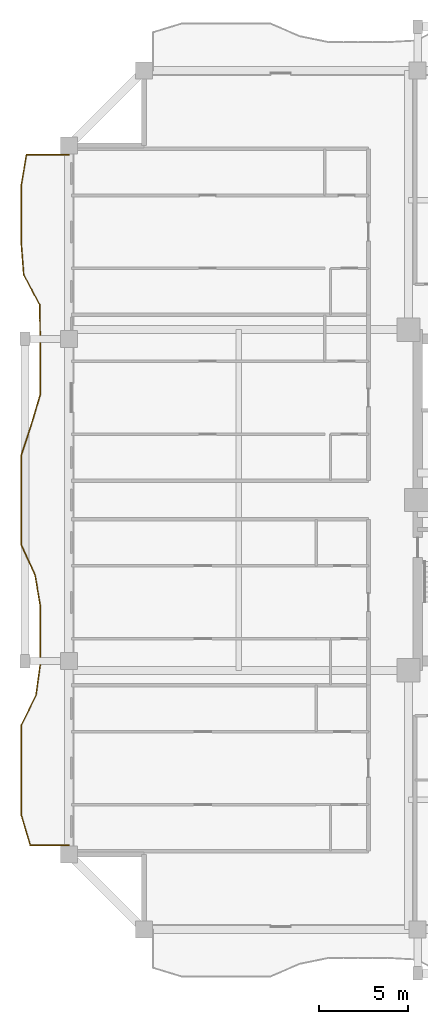
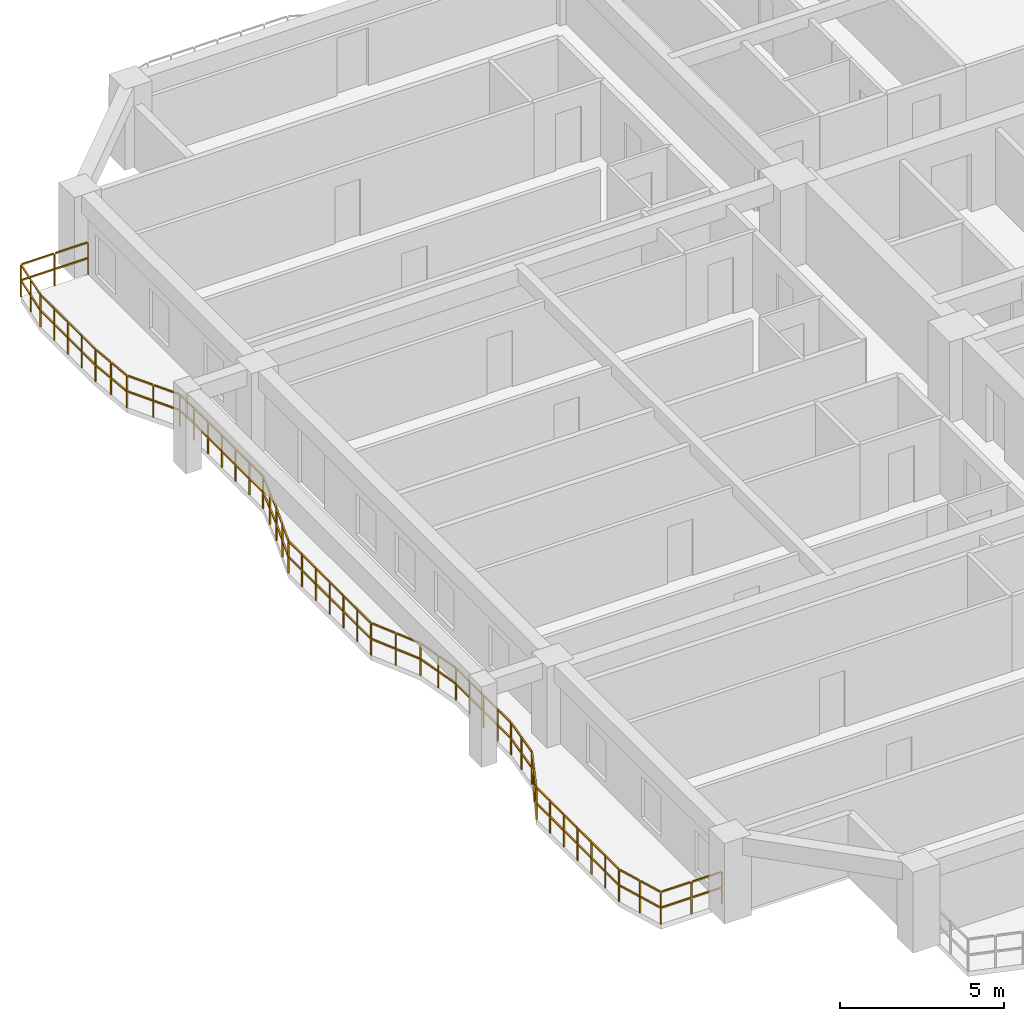
# One storey, part 8 of 11: 1 railing.
"""IFC4 building model written with IfcOpenShell, lengths in metres."""

import ifcopenshell
import ifcopenshell.guid

model = None  # the IFC model being written
_history = None  # IfcOwnerHistory: only IFC2X3 demands one
_inside = {}  # id of a spatial element -> (the spatial element, [elements in it])
_under = {}  # id of a project, library or spatial element -> (it, [spatial elements below it])
_declared = {}  # id of a project -> (the project, [libraries it declares])
_typed = {}  # id of a type object -> (the type object, [elements of that type])
_made_of = {}  # id of a material, layer set ... -> (it, [elements and type objects made of it])


def new_model(schema):
    """Start an empty IFC model of exactly this schema.

    Asked for "IFC4X3", IfcOpenShell would pick the latest addendum, in which some entities
    have other attributes; the version numbers below select the first issue.
    IFC2X3 requires an IfcOwnerHistory on every rooted entity: one is made here for all.
    """
    global model, _history
    if schema == "IFC4X3":
        model = ifcopenshell.file(schema_version=(4, 3, 0, 0))
    else:
        model = ifcopenshell.file(schema=schema)
    _inside.clear()
    _under.clear()
    _declared.clear()
    _typed.clear()
    _made_of.clear()
    _history = None
    if model.schema == "IFC2X3":
        org = make("IfcOrganization", Name="unknown")
        user = make(
            "IfcPersonAndOrganization",
            ThePerson=make("IfcPerson", FamilyName="unknown"),
            TheOrganization=org,
        )
        app = make(
            "IfcApplication",
            ApplicationDeveloper=org,
            Version="unknown",
            ApplicationFullName="unknown",
            ApplicationIdentifier="unknown",
        )
        _history = make(
            "IfcOwnerHistory",
            OwningUser=user,
            OwningApplication=app,
            ChangeAction="ADDED",
            CreationDate=0,
        )
    return model


def make(cls, **values):
    """One entity of the class cls with the attributes given. An attribute that is None is left unset."""
    return model.create_entity(
        cls, **{name: value for name, value in values.items() if value is not None}
    )


def rooted(cls, **values):
    """An entity with a GlobalId (a new one), such as an element, a storey or a relation."""
    return make(cls, GlobalId=ifcopenshell.guid.new(), OwnerHistory=_history, **values)


def si_unit(unit_type, name, prefix=None):
    """IfcSIUnit, for example si_unit("LENGTHUNIT", "METRE", prefix="MILLI")."""
    return make("IfcSIUnit", UnitType=unit_type, Prefix=prefix, Name=name)


def assignment(units):
    """IfcUnitAssignment: the units of a project."""
    return None if units is None else make("IfcUnitAssignment", Units=units)


def point(xyz):
    """IfcCartesianPoint."""
    return None if xyz is None else make("IfcCartesianPoint", Coordinates=xyz)


def direction(xyz):
    """IfcDirection."""
    return None if xyz is None else make("IfcDirection", DirectionRatios=xyz)


def frame(location, z_axis=None, x_axis=None):
    """IfcAxis2Placement3D, a coordinate frame: its origin and axes. An axis left out is left unset."""
    return make(
        "IfcAxis2Placement3D",
        Location=point(location),
        Axis=direction(z_axis),
        RefDirection=direction(x_axis),
    )


def frame_2d(location, x_axis=None):
    """IfcAxis2Placement2D, a coordinate frame in the plane: its origin and x axis."""
    return make(
        "IfcAxis2Placement2D", Location=point(location), RefDirection=direction(x_axis)
    )


def origin():
    """The frame at (0, 0, 0) with its axes left unset."""
    return frame((0.0, 0.0, 0.0))


def origin_2d():
    """The frame at (0, 0) in the plane with its x axis left unset."""
    return frame_2d((0.0, 0.0))


def place(relative_to, where):
    """IfcLocalPlacement: puts the frame where relative to a parent placement (None: the world)."""
    return make(
        "IfcLocalPlacement", PlacementRelTo=relative_to, RelativePlacement=where
    )


def context(
    kind, dimensions, precision=None, world=None, true_north=None, identifier=None
):
    """IfcGeometricRepresentationContext, for example the 3D "Model" context."""
    return make(
        "IfcGeometricRepresentationContext",
        ContextIdentifier=identifier,
        ContextType=kind,
        CoordinateSpaceDimension=dimensions,
        Precision=precision,
        WorldCoordinateSystem=world,
        TrueNorth=true_north,
    )


def subcontext(parent, identifier, kind, view, scale=None):
    """IfcGeometricRepresentationSubContext, for example "Body" below "Model"."""
    return make(
        "IfcGeometricRepresentationSubContext",
        ContextIdentifier=identifier,
        ContextType=kind,
        ParentContext=parent,
        TargetScale=scale,
        TargetView=view,
    )


def project(units=None, contexts=None):
    """IfcProject with its units and contexts."""
    return rooted(
        "IfcProject",
        Name="project",
        RepresentationContexts=contexts,
        UnitsInContext=assignment(units),
    )


def spatial(cls, under=None, at=None, **own):
    """A site, building, storey or space (cls), placed at a placement, below another one or the project."""
    s = rooted(cls, ObjectPlacement=at, **own)
    if under is not None:
        _under.setdefault(under.id(), (under, []))[1].append(s)
    return s


def profile(cls, at=None, kind="AREA", **sizes):
    """A parametric profile (cls). Its sizes go by their IFC names, for example OverallWidth=200.0."""
    return make(cls, ProfileType=kind, Position=at, **sizes)


def rectangle(**sizes):
    """IfcRectangleProfileDef."""
    return profile("IfcRectangleProfileDef", **sizes)


def extrude(swept, where, along, depth):
    """IfcExtrudedAreaSolid: the profile swept, set in the frame where, extruded along a direction by depth."""
    return make(
        "IfcExtrudedAreaSolid",
        SweptArea=swept,
        Position=where,
        ExtrudedDirection=direction(along),
        Depth=depth,
    )


def shape(context_of_items, identifier, shape_type, items):
    """IfcShapeRepresentation: the items that make up one representation, for example the "Body"."""
    return make(
        "IfcShapeRepresentation",
        ContextOfItems=context_of_items,
        RepresentationIdentifier=identifier,
        RepresentationType=shape_type,
        Items=items,
    )


def material(Name=None, Category=None):
    """IfcMaterial."""
    return make("IfcMaterial", Name=Name, Category=Category)


def made_of(thing, what):
    """Note that an element or type object is made of a material, layer set ...; save() writes the relation."""
    if what is not None:
        _made_of.setdefault(what.id(), (what, []))[1].append(thing)
    return thing


def type_object(cls, material=None, **own):
    """A type object (cls), such as IfcWallType, which elements share."""
    return made_of(rooted(cls, **own), material)


def element(
    cls,
    number,
    at=None,
    inside=None,
    cuts=None,
    type_object=None,
    material=None,
    context=None,
    identifier="Body",
    shape_type=None,
    held_by="IfcProductDefinitionShape",
    body=None,
    shapes=None,
    **own,
):
    """One element of the class cls, such as IfcWall. Its Tag is "e" and its number.

    at: its placement. inside: the storey or other place that contains it. cuts: it is an
    opening in that element (IfcRelVoidsElement). A single representation is given by context,
    identifier, shape_type and body (its items); several are given by shapes. held_by: the class
    of the entity that holds the representations. save() writes the other relations.
    """
    e = rooted(cls, Tag="e%d" % number, ObjectPlacement=at, **own)
    if body is not None:
        shapes = [shape(context, identifier, shape_type, body)]
    if shapes is not None:
        e.Representation = make(held_by, Representations=shapes)
    if inside is not None:
        _inside.setdefault(inside.id(), (inside, []))[1].append(e)
    if cuts is not None:
        rooted(
            "IfcRelVoidsElement", RelatingBuildingElement=cuts, RelatedOpeningElement=e
        )
    if type_object is not None:
        _typed.setdefault(type_object.id(), (type_object, []))[1].append(e)
    return made_of(e, material)


def aggregate(whole, parts):
    """IfcRelAggregates: a whole, such as a stair, and the parts it consists of."""
    return rooted("IfcRelAggregates", RelatingObject=whole, RelatedObjects=parts)


def save(model, path):
    """Write the relations noted so far, then the file.

    IfcRelAggregates (storeys below a building ...), IfcRelContainedInSpatialStructure (elements
    in a storey), IfcRelDefinesByType, IfcRelAssociatesMaterial and IfcRelDeclares: one each for
    every whole, place, type object, material and project.
    """
    for whole, parts in _under.values():
        aggregate(whole, parts)
    for where, things in _inside.values():
        rooted(
            "IfcRelContainedInSpatialStructure",
            RelatedElements=things,
            RelatingStructure=where,
        )
    for kind, things in _typed.values():
        rooted("IfcRelDefinesByType", RelatedObjects=things, RelatingType=kind)
    for what, things in _made_of.values():
        rooted("IfcRelAssociatesMaterial", RelatedObjects=things, RelatingMaterial=what)
    for by, libraries in _declared.values():
        rooted("IfcRelDeclares", RelatingContext=by, RelatedDefinitions=libraries)
    model.write(path)


model = new_model("IFC4")

# Units and contexts
model_context = context("Model", 3, precision=1e-05, world=origin(), true_north=direction((0.0, 1.0)))
body_context = subcontext(model_context, "Body", "Model", "MODEL_VIEW")
ifc_project = project(units=[si_unit("LENGTHUNIT", "METRE"), si_unit("AREAUNIT", "SQUARE_METRE"), si_unit("VOLUMEUNIT", "CUBIC_METRE"), si_unit("PLANEANGLEUNIT", "RADIAN"), si_unit("MASSUNIT", "GRAM", prefix="KILO")], contexts=[model_context])

# Site, building, storey
site_placement = place(None, origin())
site = spatial("IfcSite", under=ifc_project, at=site_placement, CompositionType="ELEMENT")
building_placement = place(site_placement, origin())
building = spatial("IfcBuilding", under=site, at=building_placement, Name="Saelheon Loggia Tower", CompositionType="ELEMENT")
storey_placement = place(building_placement, frame((0.0, 0.0, 138.75)))
storey = spatial("IfcBuildingStorey", under=building, at=storey_placement, Name="L44", CompositionType="ELEMENT", Elevation=138.75)

# Railing
ifc_material = material(Name="Architectural Precast Concrete and Laminated Glass Guard", Category="concrete")
railing_type = type_object("IfcRailingType", Name="Guard_Loggia_RL_LOG", PredefinedType="BALUSTRADE", material=ifc_material)
railing_placement = place(storey_placement, frame((12.0, 46.300048828125, 0.0)))
element("IfcRailing", 1, at=railing_placement, inside=storey, type_object=railing_type, Name="L44 West Loggia Balustrade", PredefinedType="BALUSTRADE", context=body_context, shape_type="SweptSolid", body=[
    extrude(rectangle(XDim=0.048095703125, YDim=0.048095703125, at=origin_2d()), frame((-0.033203125, 0.0, 1.19580078125), z_axis=(-1.0, 0.0, 0.0), x_axis=(0.0, -1.0, 0.0)), (0.0, 0.0, 1.0), 1.116943359375),
    extrude(rectangle(XDim=0.048095703125, YDim=0.048095703125, at=origin_2d()), frame((-0.033203125, 0.0, 0.60986328125), z_axis=(-1.0, 0.0, 0.0), x_axis=(0.0, -1.0, 0.0)), (0.0, 0.0, 1.0), 1.116943359375),
    extrude(rectangle(XDim=0.048095703125, YDim=0.048095703125, at=origin_2d()), frame((-1.216552734375, 0.0, 1.19580078125), z_axis=(-1.0, 0.0, 0.0), x_axis=(0.0, -1.0, 0.0)), (0.0, 0.0, 1.0), 1.116943359375),
    extrude(rectangle(XDim=0.048095703125, YDim=0.048095703125, at=origin_2d()), frame((-1.216552734375, 0.0, 0.60986328125), z_axis=(-1.0, 0.0, 0.0), x_axis=(0.0, -1.0, 0.0)), (0.0, 0.0, 1.0), 1.116943359375),
    extrude(rectangle(XDim=0.048095703125, YDim=0.048095703125, at=origin_2d()), frame((-2.372314453125, -0.03271484375, 1.19580078125), z_axis=(-0.166375627522, -0.9860624476, 0.0), x_axis=(0.9860624476, -0.166375627522, 0.0)), (0.0, 0.0, 1.0), 0.78466796875),
    extrude(rectangle(XDim=0.048095703125, YDim=0.048095703125, at=origin_2d()), frame((-2.372314453125, -0.03271484375, 0.60986328125), z_axis=(-0.166375627522, -0.9860624476, 0.0), x_axis=(0.9860624476, -0.166375627522, 0.0)), (0.0, 0.0, 1.0), 0.78466796875),
    extrude(rectangle(XDim=0.048095703125, YDim=0.048095703125, at=origin_2d()), frame((-2.513916015625, -0.8720703125, 1.19580078125), z_axis=(-0.166375627522, -0.9860624476, 0.0), x_axis=(0.9860624476, -0.166375627522, 0.0)), (0.0, 0.0, 1.0), 0.78466796875),
    extrude(rectangle(XDim=0.048095703125, YDim=0.048095703125, at=origin_2d()), frame((-2.513916015625, -0.8720703125, 0.60986328125), z_axis=(-0.166375627522, -0.9860624476, 0.0), x_axis=(0.9860624476, -0.166375627522, 0.0)), (0.0, 0.0, 1.0), 0.78466796875),
    extrude(rectangle(XDim=0.048095703125, YDim=0.048095703125, at=origin_2d()), frame((-2.64990234375, -1.711669921875, 1.19580078125), z_axis=(0.0, -1.0, 0.0), x_axis=(1.0, 0.0, 0.0)), (0.0, 0.0, 1.0), 0.7724609375),
    extrude(rectangle(XDim=0.048095703125, YDim=0.048095703125, at=origin_2d()), frame((-2.64990234375, -1.711669921875, 0.60986328125), z_axis=(0.0, -1.0, 0.0), x_axis=(1.0, 0.0, 0.0)), (0.0, 0.0, 1.0), 0.7724609375),
    extrude(rectangle(XDim=0.048095703125, YDim=0.048095703125, at=origin_2d()), frame((-2.64990234375, -2.55078125, 1.19580078125), z_axis=(0.0, -1.0, 0.0), x_axis=(1.0, 0.0, 0.0)), (0.0, 0.0, 1.0), 0.7724609375),
    extrude(rectangle(XDim=0.048095703125, YDim=0.048095703125, at=origin_2d()), frame((-2.64990234375, -2.55078125, 0.60986328125), z_axis=(0.0, -1.0, 0.0), x_axis=(1.0, 0.0, 0.0)), (0.0, 0.0, 1.0), 0.7724609375),
    extrude(rectangle(XDim=0.048095703125, YDim=0.048095703125, at=origin_2d()), frame((-2.64990234375, -3.3896484375, 1.19580078125), z_axis=(0.0, -1.0, 0.0), x_axis=(1.0, 0.0, 0.0)), (0.0, 0.0, 1.0), 0.772705078125),
    extrude(rectangle(XDim=0.048095703125, YDim=0.048095703125, at=origin_2d()), frame((-2.64990234375, -3.3896484375, 0.60986328125), z_axis=(0.0, -1.0, 0.0), x_axis=(1.0, 0.0, 0.0)), (0.0, 0.0, 1.0), 0.772705078125),
    extrude(rectangle(XDim=0.048095703125, YDim=0.048095703125, at=origin_2d()), frame((-2.64990234375, -4.22900390625, 1.19580078125), z_axis=(0.0, -1.0, 0.0), x_axis=(1.0, 0.0, 0.0)), (0.0, 0.0, 1.0), 0.772705078125),
    extrude(rectangle(XDim=0.048095703125, YDim=0.048095703125, at=origin_2d()), frame((-2.64990234375, -4.22900390625, 0.60986328125), z_axis=(0.0, -1.0, 0.0), x_axis=(1.0, 0.0, 0.0)), (0.0, 0.0, 1.0), 0.772705078125),
    extrude(rectangle(XDim=0.048095703125, YDim=0.048095703125, at=origin_2d()), frame((-2.647216796875, -5.068115234375, 1.19580078125), z_axis=(0.07788316248, -0.996962493277, 0.0), x_axis=(0.996962493277, 0.07788316248, 0.0)), (0.0, 0.0, 1.0), 0.775146484375),
    extrude(rectangle(XDim=0.048095703125, YDim=0.048095703125, at=origin_2d()), frame((-2.647216796875, -5.068115234375, 0.60986328125), z_axis=(0.07788316248, -0.996962493277, 0.0), x_axis=(0.996962493277, 0.07788316248, 0.0)), (0.0, 0.0, 1.0), 0.775146484375),
    extrude(rectangle(XDim=0.048095703125, YDim=0.048095703125, at=origin_2d()), frame((-2.581787109375, -5.9072265625, 1.19580078125), z_axis=(0.07788316248, -0.996962493277, 0.0), x_axis=(0.996962493277, 0.07788316248, 0.0)), (0.0, 0.0, 1.0), 0.775146484375),
    extrude(rectangle(XDim=0.048095703125, YDim=0.048095703125, at=origin_2d()), frame((-2.581787109375, -5.9072265625, 0.60986328125), z_axis=(0.07788316248, -0.996962493277, 0.0), x_axis=(0.996962493277, 0.07788316248, 0.0)), (0.0, 0.0, 1.0), 0.775146484375),
    extrude(rectangle(XDim=0.048095703125, YDim=0.048095703125, at=origin_2d()), frame((-2.503173828125, -6.742431640625, 1.19580078125), z_axis=(0.469974960168, -0.882679747595, 0.0), x_axis=(0.882679747595, 0.469974960168, 0.0)), (0.0, 0.0, 1.0), 0.88427734375),
    extrude(rectangle(XDim=0.048095703125, YDim=0.048095703125, at=origin_2d()), frame((-2.503173828125, -6.742431640625, 0.60986328125), z_axis=(0.469974960168, -0.882679747595, 0.0), x_axis=(0.882679747595, 0.469974960168, 0.0)), (0.0, 0.0, 1.0), 0.88427734375),
    extrude(rectangle(XDim=0.048095703125, YDim=0.048095703125, at=origin_2d()), frame((-2.056396484375, -7.58154296875, 1.19580078125), z_axis=(0.469974960168, -0.882679747595, 0.0), x_axis=(0.882679747595, 0.469974960168, 0.0)), (0.0, 0.0, 1.0), 0.88427734375),
    extrude(rectangle(XDim=0.048095703125, YDim=0.048095703125, at=origin_2d()), frame((-2.056396484375, -7.58154296875, 0.60986328125), z_axis=(0.469974960168, -0.882679747595, 0.0), x_axis=(0.882679747595, 0.469974960168, 0.0)), (0.0, 0.0, 1.0), 0.88427734375),
    extrude(rectangle(XDim=0.048095703125, YDim=0.048095703125, at=origin_2d()), frame((-1.624755859375, -8.424560546875, 1.19580078125), z_axis=(0.014982315851, -0.999887758807, 0.0), x_axis=(0.999887758807, 0.014982315851, 0.0)), (0.0, 0.0, 1.0), 0.772705078125),
    extrude(rectangle(XDim=0.048095703125, YDim=0.048095703125, at=origin_2d()), frame((-1.624755859375, -8.424560546875, 0.60986328125), z_axis=(0.014982315851, -0.999887758807, 0.0), x_axis=(0.999887758807, 0.014982315851, 0.0)), (0.0, 0.0, 1.0), 0.772705078125),
    extrude(rectangle(XDim=0.048095703125, YDim=0.048095703125, at=origin_2d()), frame((-1.612060546875, -9.263671875, 1.19580078125), z_axis=(0.014982315851, -0.999887758807, 0.0), x_axis=(0.999887758807, 0.014982315851, 0.0)), (0.0, 0.0, 1.0), 0.772705078125),
    extrude(rectangle(XDim=0.048095703125, YDim=0.048095703125, at=origin_2d()), frame((-1.612060546875, -9.263671875, 0.60986328125), z_axis=(0.014982315851, -0.999887758807, 0.0), x_axis=(0.999887758807, 0.014982315851, 0.0)), (0.0, 0.0, 1.0), 0.772705078125),
    extrude(rectangle(XDim=0.048095703125, YDim=0.048095703125, at=origin_2d()), frame((-1.60009765625, -10.102783203125, 1.19580078125), z_axis=(0.0, -1.0, 0.0), x_axis=(1.0, 0.0, 0.0)), (0.0, 0.0, 1.0), 0.772705078125),
    extrude(rectangle(XDim=0.048095703125, YDim=0.048095703125, at=origin_2d()), frame((-1.60009765625, -10.102783203125, 0.60986328125), z_axis=(0.0, -1.0, 0.0), x_axis=(1.0, 0.0, 0.0)), (0.0, 0.0, 1.0), 0.772705078125),
    extrude(rectangle(XDim=0.048095703125, YDim=0.048095703125, at=origin_2d()), frame((-1.60009765625, -10.94189453125, 1.19580078125), z_axis=(0.0, -1.0, 0.0), x_axis=(1.0, 0.0, 0.0)), (0.0, 0.0, 1.0), 0.772705078125),
    extrude(rectangle(XDim=0.048095703125, YDim=0.048095703125, at=origin_2d()), frame((-1.60009765625, -10.94189453125, 0.60986328125), z_axis=(0.0, -1.0, 0.0), x_axis=(1.0, 0.0, 0.0)), (0.0, 0.0, 1.0), 0.772705078125),
    extrude(rectangle(XDim=0.048095703125, YDim=0.048095703125, at=origin_2d()), frame((-1.60009765625, -11.781005859375, 1.19580078125), z_axis=(0.0, -1.0, 0.0), x_axis=(1.0, 0.0, 0.0)), (0.0, 0.0, 1.0), 0.772705078125),
    extrude(rectangle(XDim=0.048095703125, YDim=0.048095703125, at=origin_2d()), frame((-1.60009765625, -11.781005859375, 0.60986328125), z_axis=(0.0, -1.0, 0.0), x_axis=(1.0, 0.0, 0.0)), (0.0, 0.0, 1.0), 0.772705078125),
    extrude(rectangle(XDim=0.048095703125, YDim=0.048095703125, at=origin_2d()), frame((-1.60009765625, -12.620361328125, 1.19580078125), z_axis=(0.0, -1.0, 0.0), x_axis=(1.0, 0.0, 0.0)), (0.0, 0.0, 1.0), 0.772705078125),
    extrude(rectangle(XDim=0.048095703125, YDim=0.048095703125, at=origin_2d()), frame((-1.60009765625, -12.620361328125, 0.60986328125), z_axis=(0.0, -1.0, 0.0), x_axis=(1.0, 0.0, 0.0)), (0.0, 0.0, 1.0), 0.772705078125),
    extrude(rectangle(XDim=0.048095703125, YDim=0.048095703125, at=origin_2d()), frame((-1.609619140625, -13.458251953125, 1.19580078125), z_axis=(-0.284416013132, -0.958700960401, 0.0), x_axis=(0.958700960401, -0.284416013132, 0.0)), (0.0, 0.0, 1.0), 0.80859375),
    extrude(rectangle(XDim=0.048095703125, YDim=0.048095703125, at=origin_2d()), frame((-1.609619140625, -13.458251953125, 0.60986328125), z_axis=(-0.284416013132, -0.958700960401, 0.0), x_axis=(0.958700960401, -0.284416013132, 0.0)), (0.0, 0.0, 1.0), 0.80859375),
    extrude(rectangle(XDim=0.048095703125, YDim=0.048095703125, at=origin_2d()), frame((-1.8583984375, -14.297119140625, 1.19580078125), z_axis=(-0.284416013132, -0.958700960401, 0.0), x_axis=(0.958700960401, -0.284416013132, 0.0)), (0.0, 0.0, 1.0), 0.80859375),
    extrude(rectangle(XDim=0.048095703125, YDim=0.048095703125, at=origin_2d()), frame((-1.8583984375, -14.297119140625, 0.60986328125), z_axis=(-0.284416013132, -0.958700960401, 0.0), x_axis=(0.958700960401, -0.284416013132, 0.0)), (0.0, 0.0, 1.0), 0.80859375),
    extrude(rectangle(XDim=0.048095703125, YDim=0.048095703125, at=origin_2d()), frame((-2.1083984375, -15.1357421875, 1.19580078125), z_axis=(-0.312411606213, -0.949946834461, 0.0), x_axis=(0.949946834461, -0.312411606213, 0.0)), (0.0, 0.0, 1.0), 0.81689453125),
    extrude(rectangle(XDim=0.048095703125, YDim=0.048095703125, at=origin_2d()), frame((-2.1083984375, -15.1357421875, 0.60986328125), z_axis=(-0.312411606213, -0.949946834461, 0.0), x_axis=(0.949946834461, -0.312411606213, 0.0)), (0.0, 0.0, 1.0), 0.81689453125),
    extrude(rectangle(XDim=0.048095703125, YDim=0.048095703125, at=origin_2d()), frame((-2.38427734375, -15.97509765625, 1.19580078125), z_axis=(-0.312411606213, -0.949946834461, 0.0), x_axis=(0.949946834461, -0.312411606213, 0.0)), (0.0, 0.0, 1.0), 0.81689453125),
    extrude(rectangle(XDim=0.048095703125, YDim=0.048095703125, at=origin_2d()), frame((-2.38427734375, -15.97509765625, 0.60986328125), z_axis=(-0.312411606213, -0.949946834461, 0.0), x_axis=(0.949946834461, -0.312411606213, 0.0)), (0.0, 0.0, 1.0), 0.81689453125),
    extrude(rectangle(XDim=0.048095703125, YDim=0.048095703125, at=origin_2d()), frame((-2.64990234375, -16.81591796875, 1.19580078125), z_axis=(0.0, -1.0, 0.0), x_axis=(1.0, 0.0, 0.0)), (0.0, 0.0, 1.0), 0.772705078125),
    extrude(rectangle(XDim=0.048095703125, YDim=0.048095703125, at=origin_2d()), frame((-2.64990234375, -16.81591796875, 0.60986328125), z_axis=(0.0, -1.0, 0.0), x_axis=(1.0, 0.0, 0.0)), (0.0, 0.0, 1.0), 0.772705078125),
    extrude(rectangle(XDim=0.048095703125, YDim=0.048095703125, at=origin_2d()), frame((-2.64990234375, -17.655029296875, 1.19580078125), z_axis=(0.0, -1.0, 0.0), x_axis=(1.0, 0.0, 0.0)), (0.0, 0.0, 1.0), 0.772705078125),
    extrude(rectangle(XDim=0.048095703125, YDim=0.048095703125, at=origin_2d()), frame((-2.64990234375, -17.655029296875, 0.60986328125), z_axis=(0.0, -1.0, 0.0), x_axis=(1.0, 0.0, 0.0)), (0.0, 0.0, 1.0), 0.772705078125),
    extrude(rectangle(XDim=0.048095703125, YDim=0.048095703125, at=origin_2d()), frame((-2.64990234375, -18.494140625, 1.19580078125), z_axis=(0.0, -1.0, 0.0), x_axis=(1.0, 0.0, 0.0)), (0.0, 0.0, 1.0), 0.772705078125),
    extrude(rectangle(XDim=0.048095703125, YDim=0.048095703125, at=origin_2d()), frame((-2.64990234375, -18.494140625, 0.60986328125), z_axis=(0.0, -1.0, 0.0), x_axis=(1.0, 0.0, 0.0)), (0.0, 0.0, 1.0), 0.772705078125),
    extrude(rectangle(XDim=0.048095703125, YDim=0.048095703125, at=origin_2d()), frame((-2.64990234375, -19.333251953125, 1.19580078125), z_axis=(0.0, -1.0, 0.0), x_axis=(1.0, 0.0, 0.0)), (0.0, 0.0, 1.0), 0.772705078125),
    extrude(rectangle(XDim=0.048095703125, YDim=0.048095703125, at=origin_2d()), frame((-2.64990234375, -19.333251953125, 0.60986328125), z_axis=(0.0, -1.0, 0.0), x_axis=(1.0, 0.0, 0.0)), (0.0, 0.0, 1.0), 0.772705078125),
    extrude(rectangle(XDim=0.048095703125, YDim=0.048095703125, at=origin_2d()), frame((-2.64990234375, -20.17236328125, 1.19580078125), z_axis=(0.0, -1.0, 0.0), x_axis=(1.0, 0.0, 0.0)), (0.0, 0.0, 1.0), 0.772705078125),
    extrude(rectangle(XDim=0.048095703125, YDim=0.048095703125, at=origin_2d()), frame((-2.64990234375, -20.17236328125, 0.60986328125), z_axis=(0.0, -1.0, 0.0), x_axis=(1.0, 0.0, 0.0)), (0.0, 0.0, 1.0), 0.772705078125),
    extrude(rectangle(XDim=0.048095703125, YDim=0.048095703125, at=origin_2d()), frame((-2.64990234375, -21.011474609375, 1.19580078125), z_axis=(0.0, -1.0, 0.0), x_axis=(1.0, 0.0, 0.0)), (0.0, 0.0, 1.0), 0.772705078125),
    extrude(rectangle(XDim=0.048095703125, YDim=0.048095703125, at=origin_2d()), frame((-2.64990234375, -21.011474609375, 0.60986328125), z_axis=(0.0, -1.0, 0.0), x_axis=(1.0, 0.0, 0.0)), (0.0, 0.0, 1.0), 0.772705078125),
    extrude(rectangle(XDim=0.048095703125, YDim=0.048095703125, at=origin_2d()), frame((-2.635986328125, -21.84765625, 1.19580078125), z_axis=(0.41588480052, -0.909417303935, 0.0), x_axis=(0.909417303935, 0.41588480052, 0.0)), (0.0, 0.0, 1.0), 0.8564453125),
    extrude(rectangle(XDim=0.048095703125, YDim=0.048095703125, at=origin_2d()), frame((-2.635986328125, -21.84765625, 0.60986328125), z_axis=(0.41588480052, -0.909417303935, 0.0), x_axis=(0.909417303935, 0.41588480052, 0.0)), (0.0, 0.0, 1.0), 0.8564453125),
    extrude(rectangle(XDim=0.048095703125, YDim=0.048095703125, at=origin_2d()), frame((-2.252197265625, -22.686767578125, 1.19580078125), z_axis=(0.41588480052, -0.909417303935, 0.0), x_axis=(0.909417303935, 0.41588480052, 0.0)), (0.0, 0.0, 1.0), 0.8564453125),
    extrude(rectangle(XDim=0.048095703125, YDim=0.048095703125, at=origin_2d()), frame((-2.252197265625, -22.686767578125, 0.60986328125), z_axis=(0.41588480052, -0.909417303935, 0.0), x_axis=(0.909417303935, 0.41588480052, 0.0)), (0.0, 0.0, 1.0), 0.8564453125),
    extrude(rectangle(XDim=0.048095703125, YDim=0.048095703125, at=origin_2d()), frame((-1.876708984375, -23.528564453125, 1.19580078125), z_axis=(0.165864644071, -0.986148528289, 0.0), x_axis=(0.986148528289, 0.165864644071, 0.0)), (0.0, 0.0, 1.0), 0.784423828125),
    extrude(rectangle(XDim=0.048095703125, YDim=0.048095703125, at=origin_2d()), frame((-1.876708984375, -23.528564453125, 0.60986328125), z_axis=(0.165864644071, -0.986148528289, 0.0), x_axis=(0.986148528289, 0.165864644071, 0.0)), (0.0, 0.0, 1.0), 0.784423828125),
    extrude(rectangle(XDim=0.048095703125, YDim=0.048095703125, at=origin_2d()), frame((-1.735595703125, -24.36767578125, 1.19580078125), z_axis=(0.165864644071, -0.986148528289, 0.0), x_axis=(0.986148528289, 0.165864644071, 0.0)), (0.0, 0.0, 1.0), 0.784423828125),
    extrude(rectangle(XDim=0.048095703125, YDim=0.048095703125, at=origin_2d()), frame((-1.735595703125, -24.36767578125, 0.60986328125), z_axis=(0.165864644071, -0.986148528289, 0.0), x_axis=(0.986148528289, 0.165864644071, 0.0)), (0.0, 0.0, 1.0), 0.784423828125),
    extrude(rectangle(XDim=0.048095703125, YDim=0.048095703125, at=origin_2d()), frame((-1.60009765625, -25.20703125, 1.19580078125), z_axis=(0.0, -1.0, 0.0), x_axis=(1.0, 0.0, 0.0)), (0.0, 0.0, 1.0), 0.772705078125),
    extrude(rectangle(XDim=0.048095703125, YDim=0.048095703125, at=origin_2d()), frame((-1.60009765625, -25.20703125, 0.60986328125), z_axis=(0.0, -1.0, 0.0), x_axis=(1.0, 0.0, 0.0)), (0.0, 0.0, 1.0), 0.772705078125),
    extrude(rectangle(XDim=0.048095703125, YDim=0.048095703125, at=origin_2d()), frame((-1.60009765625, -26.04638671875, 1.19580078125), z_axis=(0.0, -1.0, 0.0), x_axis=(1.0, 0.0, 0.0)), (0.0, 0.0, 1.0), 0.772705078125),
    extrude(rectangle(XDim=0.048095703125, YDim=0.048095703125, at=origin_2d()), frame((-1.60009765625, -26.04638671875, 0.60986328125), z_axis=(0.0, -1.0, 0.0), x_axis=(1.0, 0.0, 0.0)), (0.0, 0.0, 1.0), 0.772705078125),
    extrude(rectangle(XDim=0.048095703125, YDim=0.048095703125, at=origin_2d()), frame((-1.60009765625, -26.885498046875, 1.19580078125), z_axis=(0.0, -1.0, 0.0), x_axis=(1.0, 0.0, 0.0)), (0.0, 0.0, 1.0), 0.772705078125),
    extrude(rectangle(XDim=0.048095703125, YDim=0.048095703125, at=origin_2d()), frame((-1.60009765625, -26.885498046875, 0.60986328125), z_axis=(0.0, -1.0, 0.0), x_axis=(1.0, 0.0, 0.0)), (0.0, 0.0, 1.0), 0.772705078125),
    extrude(rectangle(XDim=0.048095703125, YDim=0.048095703125, at=origin_2d()), frame((-1.60009765625, -27.724609375, 1.19580078125), z_axis=(0.0, -1.0, 0.0), x_axis=(1.0, 0.0, 0.0)), (0.0, 0.0, 1.0), 0.772705078125),
    extrude(rectangle(XDim=0.048095703125, YDim=0.048095703125, at=origin_2d()), frame((-1.60009765625, -27.724609375, 0.60986328125), z_axis=(0.0, -1.0, 0.0), x_axis=(1.0, 0.0, 0.0)), (0.0, 0.0, 1.0), 0.772705078125),
    extrude(rectangle(XDim=0.048095703125, YDim=0.048095703125, at=origin_2d()), frame((-1.604736328125, -28.5634765625, 1.19580078125), z_axis=(-0.136617890743, -0.990623819585, 0.0), x_axis=(0.990623819585, -0.136617890743, 0.0)), (0.0, 0.0, 1.0), 0.780517578125),
    extrude(rectangle(XDim=0.048095703125, YDim=0.048095703125, at=origin_2d()), frame((-1.604736328125, -28.5634765625, 0.60986328125), z_axis=(-0.136617890743, -0.990623819585, 0.0), x_axis=(0.990623819585, -0.136617890743, 0.0)), (0.0, 0.0, 1.0), 0.780517578125),
    extrude(rectangle(XDim=0.048095703125, YDim=0.048095703125, at=origin_2d()), frame((-1.720458984375, -29.402587890625, 1.19580078125), z_axis=(-0.136617890743, -0.990623819585, 0.0), x_axis=(0.990623819585, -0.136617890743, 0.0)), (0.0, 0.0, 1.0), 0.780517578125),
    extrude(rectangle(XDim=0.048095703125, YDim=0.048095703125, at=origin_2d()), frame((-1.720458984375, -29.402587890625, 0.60986328125), z_axis=(-0.136617890743, -0.990623819585, 0.0), x_axis=(0.990623819585, -0.136617890743, 0.0)), (0.0, 0.0, 1.0), 0.780517578125),
    extrude(rectangle(XDim=0.048095703125, YDim=0.048095703125, at=origin_2d()), frame((-1.84619140625, -30.238525390625, 1.19580078125), z_axis=(-0.438299970377, -0.898828757867, 0.0), x_axis=(0.898828757867, -0.438299970377, 0.0)), (0.0, 0.0, 1.0), 0.8671875),
    extrude(rectangle(XDim=0.048095703125, YDim=0.048095703125, at=origin_2d()), frame((-1.84619140625, -30.238525390625, 0.60986328125), z_axis=(-0.438299970377, -0.898828757867, 0.0), x_axis=(0.898828757867, -0.438299970377, 0.0)), (0.0, 0.0, 1.0), 0.8671875),
    extrude(rectangle(XDim=0.048095703125, YDim=0.048095703125, at=origin_2d()), frame((-2.25537109375, -31.07763671875, 1.19580078125), z_axis=(-0.438299970377, -0.898828757867, 0.0), x_axis=(0.898828757867, -0.438299970377, 0.0)), (0.0, 0.0, 1.0), 0.8671875),
    extrude(rectangle(XDim=0.048095703125, YDim=0.048095703125, at=origin_2d()), frame((-2.25537109375, -31.07763671875, 0.60986328125), z_axis=(-0.438299970377, -0.898828757867, 0.0), x_axis=(0.898828757867, -0.438299970377, 0.0)), (0.0, 0.0, 1.0), 0.8671875),
    extrude(rectangle(XDim=0.048095703125, YDim=0.048095703125, at=origin_2d()), frame((-2.64990234375, -31.920166015625, 1.19580078125), z_axis=(0.0, -1.0, 0.0), x_axis=(1.0, 0.0, 0.0)), (0.0, 0.0, 1.0), 0.772705078125),
    extrude(rectangle(XDim=0.048095703125, YDim=0.048095703125, at=origin_2d()), frame((-2.64990234375, -31.920166015625, 0.60986328125), z_axis=(0.0, -1.0, 0.0), x_axis=(1.0, 0.0, 0.0)), (0.0, 0.0, 1.0), 0.772705078125),
    extrude(rectangle(XDim=0.048095703125, YDim=0.048095703125, at=origin_2d()), frame((-2.64990234375, -32.75927734375, 1.19580078125), z_axis=(0.0, -1.0, 0.0), x_axis=(1.0, 0.0, 0.0)), (0.0, 0.0, 1.0), 0.772705078125),
    extrude(rectangle(XDim=0.048095703125, YDim=0.048095703125, at=origin_2d()), frame((-2.64990234375, -32.75927734375, 0.60986328125), z_axis=(0.0, -1.0, 0.0), x_axis=(1.0, 0.0, 0.0)), (0.0, 0.0, 1.0), 0.772705078125),
    extrude(rectangle(XDim=0.048095703125, YDim=0.048095703125, at=origin_2d()), frame((-2.64990234375, -33.598388671875, 1.19580078125), z_axis=(0.0, -1.0, 0.0), x_axis=(1.0, 0.0, 0.0)), (0.0, 0.0, 1.0), 0.772705078125),
    extrude(rectangle(XDim=0.048095703125, YDim=0.048095703125, at=origin_2d()), frame((-2.64990234375, -33.598388671875, 0.60986328125), z_axis=(0.0, -1.0, 0.0), x_axis=(1.0, 0.0, 0.0)), (0.0, 0.0, 1.0), 0.772705078125),
    extrude(rectangle(XDim=0.048095703125, YDim=0.048095703125, at=origin_2d()), frame((-2.64990234375, -34.437744140625, 1.19580078125), z_axis=(0.0, -1.0, 0.0), x_axis=(1.0, 0.0, 0.0)), (0.0, 0.0, 1.0), 0.772705078125),
    extrude(rectangle(XDim=0.048095703125, YDim=0.048095703125, at=origin_2d()), frame((-2.64990234375, -34.437744140625, 0.60986328125), z_axis=(0.0, -1.0, 0.0), x_axis=(1.0, 0.0, 0.0)), (0.0, 0.0, 1.0), 0.772705078125),
    extrude(rectangle(XDim=0.048095703125, YDim=0.048095703125, at=origin_2d()), frame((-2.64990234375, -35.27685546875, 1.19580078125), z_axis=(0.0, -1.0, 0.0), x_axis=(1.0, 0.0, 0.0)), (0.0, 0.0, 1.0), 0.7724609375),
    extrude(rectangle(XDim=0.048095703125, YDim=0.048095703125, at=origin_2d()), frame((-2.64990234375, -35.27685546875, 0.60986328125), z_axis=(0.0, -1.0, 0.0), x_axis=(1.0, 0.0, 0.0)), (0.0, 0.0, 1.0), 0.7724609375),
    extrude(rectangle(XDim=0.048095703125, YDim=0.048095703125, at=origin_2d()), frame((-2.64990234375, -36.115966796875, 1.19580078125), z_axis=(0.0, -1.0, 0.0), x_axis=(1.0, 0.0, 0.0)), (0.0, 0.0, 1.0), 0.7724609375),
    extrude(rectangle(XDim=0.048095703125, YDim=0.048095703125, at=origin_2d()), frame((-2.64990234375, -36.115966796875, 0.60986328125), z_axis=(0.0, -1.0, 0.0), x_axis=(1.0, 0.0, 0.0)), (0.0, 0.0, 1.0), 0.7724609375),
    extrude(rectangle(XDim=0.048095703125, YDim=0.048095703125, at=origin_2d()), frame((-2.640380859375, -36.953369140625, 1.19580078125), z_axis=(0.285492932105, -0.958380814561, 0.0), x_axis=(0.958380814561, 0.285492932105, 0.0)), (0.0, 0.0, 1.0), 0.809326171875),
    extrude(rectangle(XDim=0.048095703125, YDim=0.048095703125, at=origin_2d()), frame((-2.640380859375, -36.953369140625, 0.60986328125), z_axis=(0.285492932105, -0.958380814561, 0.0), x_axis=(0.958380814561, 0.285492932105, 0.0)), (0.0, 0.0, 1.0), 0.809326171875),
    extrude(rectangle(XDim=0.048095703125, YDim=0.048095703125, at=origin_2d()), frame((-2.390380859375, -37.792724609375, 1.19580078125), z_axis=(0.285492932105, -0.958380814561, 0.0), x_axis=(0.958380814561, 0.285492932105, 0.0)), (0.0, 0.0, 1.0), 0.809326171875),
    extrude(rectangle(XDim=0.048095703125, YDim=0.048095703125, at=origin_2d()), frame((-2.390380859375, -37.792724609375, 0.60986328125), z_axis=(0.285492932105, -0.958380814561, 0.0), x_axis=(0.958380814561, 0.285492932105, 0.0)), (0.0, 0.0, 1.0), 0.809326171875),
    extrude(rectangle(XDim=0.048095703125, YDim=0.048095703125, at=origin_2d()), frame((-2.11669921875, -38.60009765625, 1.19580078125), z_axis=(1.0, 0.0, 0.0), x_axis=(0.0, 1.0, 0.0)), (0.0, 0.0, 1.0), 1.008544921875),
    extrude(rectangle(XDim=0.048095703125, YDim=0.048095703125, at=origin_2d()), frame((-2.11669921875, -38.60009765625, 0.60986328125), z_axis=(1.0, 0.0, 0.0), x_axis=(0.0, 1.0, 0.0)), (0.0, 0.0, 1.0), 1.008544921875),
    extrude(rectangle(XDim=0.048095703125, YDim=0.048095703125, at=origin_2d()), frame((-1.041748046875, -38.60009765625, 1.19580078125), z_axis=(1.0, 0.0, 0.0), x_axis=(0.0, 1.0, 0.0)), (0.0, 0.0, 1.0), 1.008544921875),
    extrude(rectangle(XDim=0.048095703125, YDim=0.048095703125, at=origin_2d()), frame((-1.041748046875, -38.60009765625, 0.60986328125), z_axis=(1.0, 0.0, 0.0), x_axis=(0.0, 1.0, 0.0)), (0.0, 0.0, 1.0), 1.008544921875),
    extrude(rectangle(XDim=0.0419921875, YDim=0.0419921875, at=origin_2d()), origin(), (0.0, 0.0, 1.0), 1.16796875),
    extrude(rectangle(XDim=0.0419921875, YDim=0.0419921875, at=origin_2d()), frame((-1.183349609375, 0.0, 0.0)), (0.0, 0.0, 1.0), 1.16796875),
    extrude(rectangle(XDim=0.0419921875, YDim=0.0419921875, at=origin_2d()), frame((-2.36669921875, 0.0, 0.0)), (0.0, 0.0, 1.0), 1.16796875),
    extrude(rectangle(XDim=0.0419921875, YDim=0.0419921875, at=origin_2d()), frame((-2.50830078125, -0.83935546875, 0.0)), (0.0, 0.0, 1.0), 1.16796875),
    extrude(rectangle(XDim=0.0419921875, YDim=0.0419921875, at=origin_2d()), frame((-2.64990234375, -1.678466796875, 0.0)), (0.0, 0.0, 1.0), 1.16796875),
    extrude(rectangle(XDim=0.0419921875, YDim=0.0419921875, at=origin_2d()), frame((-2.64990234375, -2.517578125, 0.0)), (0.0, 0.0, 1.0), 1.16796875),
    extrude(rectangle(XDim=0.0419921875, YDim=0.0419921875, at=origin_2d()), frame((-2.64990234375, -3.3564453125, 0.0)), (0.0, 0.0, 1.0), 1.16796875),
    extrude(rectangle(XDim=0.0419921875, YDim=0.0419921875, at=origin_2d()), frame((-2.64990234375, -4.19580078125, 0.0)), (0.0, 0.0, 1.0), 1.16796875),
    extrude(rectangle(XDim=0.0419921875, YDim=0.0419921875, at=origin_2d()), frame((-2.64990234375, -5.034912109375, 0.0)), (0.0, 0.0, 1.0), 1.16796875),
    extrude(rectangle(XDim=0.0419921875, YDim=0.0419921875, at=origin_2d()), frame((-2.58447265625, -5.8740234375, 0.0)), (0.0, 0.0, 1.0), 1.16796875),
    extrude(rectangle(XDim=0.0419921875, YDim=0.0419921875, at=origin_2d()), frame((-2.518798828125, -6.713134765625, 0.0)), (0.0, 0.0, 1.0), 1.16796875),
    extrude(rectangle(XDim=0.0419921875, YDim=0.0419921875, at=origin_2d()), frame((-2.072021484375, -7.55224609375, 0.0)), (0.0, 0.0, 1.0), 1.16796875),
    extrude(rectangle(XDim=0.0419921875, YDim=0.0419921875, at=origin_2d()), frame((-1.625244140625, -8.391357421875, 0.0)), (0.0, 0.0, 1.0), 1.16796875),
    extrude(rectangle(XDim=0.0419921875, YDim=0.0419921875, at=origin_2d()), frame((-1.61279296875, -9.23046875, 0.0)), (0.0, 0.0, 1.0), 1.16796875),
    extrude(rectangle(XDim=0.0419921875, YDim=0.0419921875, at=origin_2d()), frame((-1.60009765625, -10.069580078125, 0.0)), (0.0, 0.0, 1.0), 1.16796875),
    extrude(rectangle(XDim=0.0419921875, YDim=0.0419921875, at=origin_2d()), frame((-1.60009765625, -10.90869140625, 0.0)), (0.0, 0.0, 1.0), 1.16796875),
    extrude(rectangle(XDim=0.0419921875, YDim=0.0419921875, at=origin_2d()), frame((-1.60009765625, -11.747802734375, 0.0)), (0.0, 0.0, 1.0), 1.16796875),
    extrude(rectangle(XDim=0.0419921875, YDim=0.0419921875, at=origin_2d()), frame((-1.60009765625, -12.5869140625, 0.0)), (0.0, 0.0, 1.0), 1.16796875),
    extrude(rectangle(XDim=0.0419921875, YDim=0.0419921875, at=origin_2d()), frame((-1.60009765625, -13.42626953125, 0.0)), (0.0, 0.0, 1.0), 1.16796875),
    extrude(rectangle(XDim=0.0419921875, YDim=0.0419921875, at=origin_2d()), frame((-1.84912109375, -14.26513671875, 0.0)), (0.0, 0.0, 1.0), 1.16796875),
    extrude(rectangle(XDim=0.0419921875, YDim=0.0419921875, at=origin_2d()), frame((-2.097900390625, -15.104248046875, 0.0)), (0.0, 0.0, 1.0), 1.16796875),
    extrude(rectangle(XDim=0.0419921875, YDim=0.0419921875, at=origin_2d()), frame((-2.3740234375, -15.943359375, 0.0)), (0.0, 0.0, 1.0), 1.16796875),
    extrude(rectangle(XDim=0.0419921875, YDim=0.0419921875, at=origin_2d()), frame((-2.64990234375, -16.78271484375, 0.0)), (0.0, 0.0, 1.0), 1.16796875),
    extrude(rectangle(XDim=0.0419921875, YDim=0.0419921875, at=origin_2d()), frame((-2.64990234375, -17.621826171875, 0.0)), (0.0, 0.0, 1.0), 1.16796875),
    extrude(rectangle(XDim=0.0419921875, YDim=0.0419921875, at=origin_2d()), frame((-2.64990234375, -18.4609375, 0.0)), (0.0, 0.0, 1.0), 1.16796875),
    extrude(rectangle(XDim=0.0419921875, YDim=0.0419921875, at=origin_2d()), frame((-2.64990234375, -19.300048828125, 0.0)), (0.0, 0.0, 1.0), 1.16796875),
    extrude(rectangle(XDim=0.0419921875, YDim=0.0419921875, at=origin_2d()), frame((-2.64990234375, -20.13916015625, 0.0)), (0.0, 0.0, 1.0), 1.16796875),
    extrude(rectangle(XDim=0.0419921875, YDim=0.0419921875, at=origin_2d()), frame((-2.64990234375, -20.978271484375, 0.0)), (0.0, 0.0, 1.0), 1.16796875),
    extrude(rectangle(XDim=0.0419921875, YDim=0.0419921875, at=origin_2d()), frame((-2.64990234375, -21.8173828125, 0.0)), (0.0, 0.0, 1.0), 1.16796875),
    extrude(rectangle(XDim=0.0419921875, YDim=0.0419921875, at=origin_2d()), frame((-2.26611328125, -22.65673828125, 0.0)), (0.0, 0.0, 1.0), 1.16796875),
    extrude(rectangle(XDim=0.0419921875, YDim=0.0419921875, at=origin_2d()), frame((-1.88232421875, -23.495849609375, 0.0)), (0.0, 0.0, 1.0), 1.16796875),
    extrude(rectangle(XDim=0.0419921875, YDim=0.0419921875, at=origin_2d()), frame((-1.7412109375, -24.3349609375, 0.0)), (0.0, 0.0, 1.0), 1.16796875),
    extrude(rectangle(XDim=0.0419921875, YDim=0.0419921875, at=origin_2d()), frame((-1.60009765625, -25.173828125, 0.0)), (0.0, 0.0, 1.0), 1.16796875),
    extrude(rectangle(XDim=0.0419921875, YDim=0.0419921875, at=origin_2d()), frame((-1.60009765625, -26.01318359375, 0.0)), (0.0, 0.0, 1.0), 1.16796875),
    extrude(rectangle(XDim=0.0419921875, YDim=0.0419921875, at=origin_2d()), frame((-1.60009765625, -26.852294921875, 0.0)), (0.0, 0.0, 1.0), 1.16796875),
    extrude(rectangle(XDim=0.0419921875, YDim=0.0419921875, at=origin_2d()), frame((-1.60009765625, -27.69140625, 0.0)), (0.0, 0.0, 1.0), 1.16796875),
    extrude(rectangle(XDim=0.0419921875, YDim=0.0419921875, at=origin_2d()), frame((-1.60009765625, -28.530517578125, 0.0)), (0.0, 0.0, 1.0), 1.16796875),
    extrude(rectangle(XDim=0.0419921875, YDim=0.0419921875, at=origin_2d()), frame((-1.7158203125, -29.36962890625, 0.0)), (0.0, 0.0, 1.0), 1.16796875),
    extrude(rectangle(XDim=0.0419921875, YDim=0.0419921875, at=origin_2d()), frame((-1.83154296875, -30.208740234375, 0.0)), (0.0, 0.0, 1.0), 1.16796875),
    extrude(rectangle(XDim=0.0419921875, YDim=0.0419921875, at=origin_2d()), frame((-2.24072265625, -31.0478515625, 0.0)), (0.0, 0.0, 1.0), 1.16796875),
    extrude(rectangle(XDim=0.0419921875, YDim=0.0419921875, at=origin_2d()), frame((-2.64990234375, -31.886962890625, 0.0)), (0.0, 0.0, 1.0), 1.16796875),
    extrude(rectangle(XDim=0.0419921875, YDim=0.0419921875, at=origin_2d()), frame((-2.64990234375, -32.72607421875, 0.0)), (0.0, 0.0, 1.0), 1.16796875),
    extrude(rectangle(XDim=0.0419921875, YDim=0.0419921875, at=origin_2d()), frame((-2.64990234375, -33.565185546875, 0.0)), (0.0, 0.0, 1.0), 1.16796875),
    extrude(rectangle(XDim=0.0419921875, YDim=0.0419921875, at=origin_2d()), frame((-2.64990234375, -34.404296875, 0.0)), (0.0, 0.0, 1.0), 1.16796875),
    extrude(rectangle(XDim=0.0419921875, YDim=0.0419921875, at=origin_2d()), frame((-2.64990234375, -35.24365234375, 0.0)), (0.0, 0.0, 1.0), 1.16796875),
    extrude(rectangle(XDim=0.0419921875, YDim=0.0419921875, at=origin_2d()), frame((-2.64990234375, -36.08251953125, 0.0)), (0.0, 0.0, 1.0), 1.16796875),
    extrude(rectangle(XDim=0.0419921875, YDim=0.0419921875, at=origin_2d()), frame((-2.64990234375, -36.921630859375, 0.0)), (0.0, 0.0, 1.0), 1.16796875),
    extrude(rectangle(XDim=0.0419921875, YDim=0.0419921875, at=origin_2d()), frame((-2.39990234375, -37.7607421875, 0.0)), (0.0, 0.0, 1.0), 1.16796875),
    extrude(rectangle(XDim=0.0419921875, YDim=0.0419921875, at=origin_2d()), frame((-2.14990234375, -38.60009765625, 0.0)), (0.0, 0.0, 1.0), 1.16796875),
    extrude(rectangle(XDim=0.0419921875, YDim=0.0419921875, at=origin_2d()), frame((-1.074951171875, -38.60009765625, 0.0)), (0.0, 0.0, 1.0), 1.16796875),
    extrude(rectangle(XDim=0.0419921875, YDim=0.0419921875, at=origin_2d()), frame((0.0, -38.60009765625, 0.0)), (0.0, 0.0, 1.0), 1.16796875),
])

save(model, "model.ifc")
